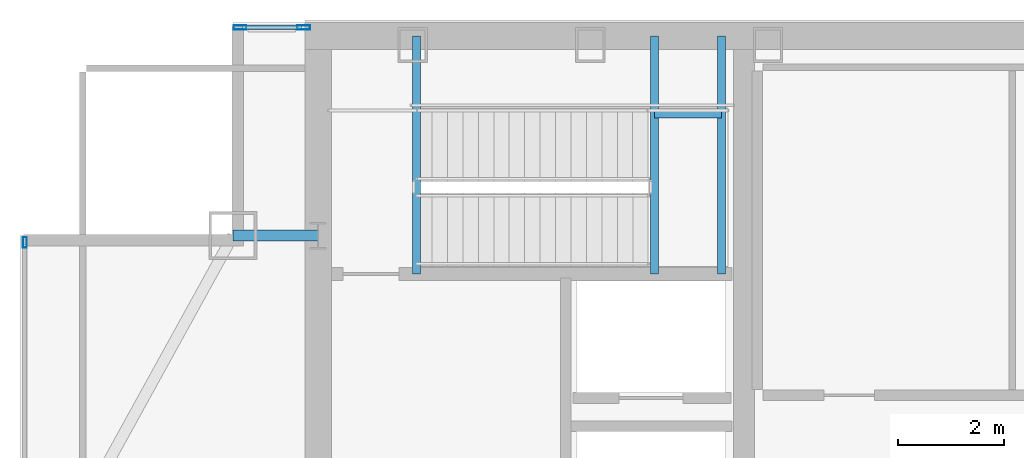
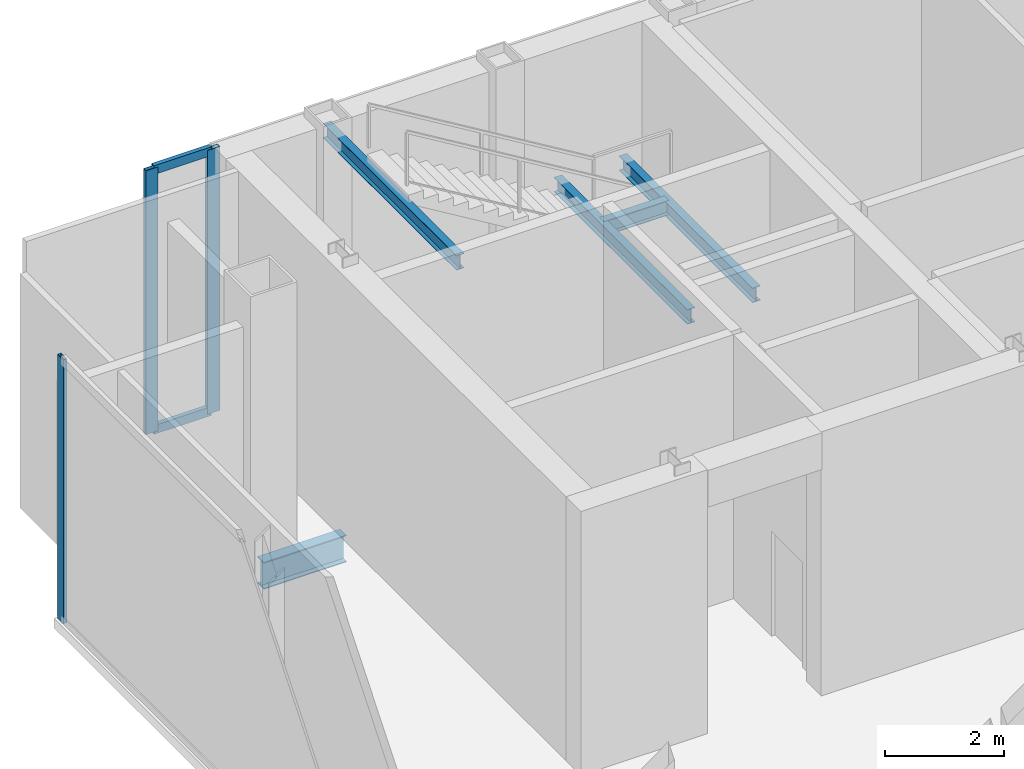
# One storey, part 17 of 23: 5 beams, 5 members, 2 elements without a shape of their own.
"""IFC4 building model written with IfcOpenShell, lengths in metres."""

from ifc_helpers import new_model, si_unit, direction, frame, origin, origin_2d, place, context, subcontext, project, spatial, hollow_rectangle, i_section, extrude, material, material_profile, profile_set, type_object, element, aggregate, save


model = new_model("IFC4")

# Units and contexts
model_context = context("Model", 3, precision=1e-05, world=origin(), true_north=direction((0.0, 1.0)))
body_context = subcontext(model_context, "Body", "Model", "MODEL_VIEW")
ifc_project = project(units=[si_unit("LENGTHUNIT", "METRE"), si_unit("AREAUNIT", "SQUARE_METRE"), si_unit("VOLUMEUNIT", "CUBIC_METRE"), si_unit("PLANEANGLEUNIT", "RADIAN"), si_unit("MASSUNIT", "GRAM", prefix="KILO")], contexts=[model_context])

# Site, building, storey
site_placement = place(None, origin())
site = spatial("IfcSite", under=ifc_project, at=site_placement, CompositionType="ELEMENT")
building_placement = place(site_placement, origin())
building = spatial("IfcBuilding", under=site, at=building_placement, Name="Khoronbel Lancet Exchange", CompositionType="ELEMENT")
storey_placement = place(building_placement, frame((0.0, 0.0, 356.199951171875)))
storey = spatial("IfcBuildingStorey", under=building, at=storey_placement, Name="L92", CompositionType="ELEMENT", Elevation=356.199951171875)

# Beams
ifc_material_1 = material(Name="Steel S355", Category="steel")
ifc_material_profile_1 = material_profile(ifc_material_1, i_section(OverallWidth=0.14990234375, OverallDepth=0.300048828125, WebThickness=0.007080078125, FlangeThickness=0.0107421875, at=origin_2d()), Name="IPE 300")
ifc_profile_set_1 = profile_set([ifc_material_profile_1], Name="Steel S355")
beam_type_1 = type_object("IfcBeamType", Name="BM-BJ8", PredefinedType="JOIST", material=ifc_profile_set_1)
for number, where, z_axis, x_axis, name in (
    (1, (22.77001953125, 48.97998046875, 2.449951171875), (0.0, 1.0, 0.0), (-1.0, 0.0, 0.0), "Level L92 stair ST1 landing bearer beam 1"),
    (2, (24.030029296875, 48.97998046875, 2.449951171875), (0.0, 1.0, 0.0), (-1.0, 0.0, 0.0), "Level L92 stair ST1 rear landing bearer beam 1"),
):
    element("IfcBeam", number, at=place(storey_placement, frame(where, z_axis=z_axis, x_axis=x_axis)), inside=storey, type_object=beam_type_1, Name=name, PredefinedType="JOIST", context=body_context, shape_type="SweptSolid", body=[
        extrude(i_section(OverallWidth=0.14990234375, OverallDepth=0.300048828125, WebThickness=0.007080078125, FlangeThickness=0.0107421875, at=origin_2d()), origin(), (0.0, 0.0, 1.0), 4.469970703125),
    ])
beam_1_placement = place(storey_placement, frame((22.77001953125, 51.97998046875, 2.449951171875), z_axis=(1.0, 0.0, 0.0), x_axis=(0.0, 1.0, 0.0)))
element("IfcBeam", 3, at=beam_1_placement, inside=storey, type_object=beam_type_1, Name="Level L92 stair ST1 landing cross trimmer beam 1", PredefinedType="JOIST", context=body_context, shape_type="SweptSolid", body=[
    extrude(i_section(OverallWidth=0.14990234375, OverallDepth=0.300048828125, WebThickness=0.007080078125, FlangeThickness=0.0107421875, at=origin_2d()), origin(), (0.0, 0.0, 1.0), 1.260009765625),
])
beam_2_placement = place(storey_placement, frame((18.300048828125, 48.97998046875, 5.1201171875), z_axis=(0.0, 1.0, 0.0), x_axis=(-1.0, 0.0, 0.0)))
element("IfcBeam", 4, at=beam_2_placement, inside=storey, type_object=beam_type_1, Name="Level L92 stair ST1 upper-flight arrival trimmer beam", PredefinedType="JOIST", context=body_context, shape_type="SweptSolid", body=[
    extrude(i_section(OverallWidth=0.14990234375, OverallDepth=0.300048828125, WebThickness=0.007080078125, FlangeThickness=0.0107421875, at=origin_2d()), origin(), (0.0, 0.0, 1.0), 4.469970703125),
])
ifc_material_profile_2 = material_profile(ifc_material_1, i_section(OverallWidth=0.2099609375, OverallDepth=0.550048828125, WebThickness=0.010986328125, FlangeThickness=0.01708984375, at=origin_2d()), Name="IPE 550")
ifc_profile_set_2 = profile_set([ifc_material_profile_2], Name="Steel S355")
beam_type_2 = type_object("IfcBeamType", Name="BM-BSP3", PredefinedType="SPANDREL", material=ifc_profile_set_2)
beam_3_placement = place(storey_placement, frame((14.85009765625, 49.699951171875, -0.474853515625), z_axis=(1.0, 0.0, 0.0), x_axis=(0.0, 1.0, 0.0)))
element("IfcBeam", 5, at=beam_3_placement, inside=storey, type_object=beam_type_2, Name="Level L92 north flank tie spandrel SP20", PredefinedType="SPANDREL", context=body_context, shape_type="SweptSolid", body=[
    extrude(i_section(OverallWidth=0.2099609375, OverallDepth=0.550048828125, WebThickness=0.010986328125, FlangeThickness=0.01708984375, at=origin_2d()), origin(), (0.0, 0.0, 1.0), 1.599853515625),
])

# Curtain wall, members
ifc_material_2 = material(Name="Low-E Solar Control Insulating Glass", Category="glass")
curtain_wall_type = type_object("IfcCurtainWallType", Name="CW-6", PredefinedType="NOTDEFINED", material=ifc_material_2)
curtain_wall_1_placement = place(storey_placement, origin())
curtain_wall_1 = element("IfcCurtainWall", 6, at=curtain_wall_1_placement, inside=storey, type_object=curtain_wall_type, Name="Unitised curtain wall CW-L92-NWFLK", PredefinedType="NOTDEFINED")
ifc_material_3 = material(Name="Bronze-Anodised Aluminium 6063-T6", Category="aluminium")
ifc_material_profile_3 = material_profile(ifc_material_3, hollow_rectangle(XDim=0.0849609375, YDim=0.239990234375, WallThickness=0.006103515625, at=origin_2d()), Name="ALU MULLION 85x240")
ifc_profile_set_3 = profile_set([ifc_material_profile_3], Name="Bronze-Anodised Aluminium 6063-T6")
member_type_1 = type_object("IfcMemberType", Name="MEM-CWM1", PredefinedType="MULLION", material=ifc_profile_set_3)
member_1_placement = place(storey_placement, frame((16.177490234375, 53.610107421875, 0.0), z_axis=(0.0, 0.0, 1.0), x_axis=(0.0, -1.0, 0.0)))
member_1 = element("IfcMember", 7, at=member_1_placement, type_object=member_type_1, Name="CW6 mullion 1", PredefinedType="MULLION", context=body_context, shape_type="SweptSolid", body=[
    extrude(hollow_rectangle(XDim=0.0849609375, YDim=0.239990234375, WallThickness=0.006103515625, at=origin_2d()), origin(), (0.0, 0.0, 1.0), 5.400146484375),
])
member_2_placement = place(storey_placement, frame((14.982421875, 53.610107421875, 0.0), z_axis=(0.0, 0.0, 1.0), x_axis=(0.0, -1.0, 0.0)))
member_2 = element("IfcMember", 8, at=member_2_placement, type_object=member_type_1, Name="CW6 mullion 2", PredefinedType="MULLION", context=body_context, shape_type="SweptSolid", body=[
    extrude(hollow_rectangle(XDim=0.0849609375, YDim=0.239990234375, WallThickness=0.006103515625, at=origin_2d()), origin(), (0.0, 0.0, 1.0), 5.400146484375),
])

# Curtain wall, member
curtain_wall_2_placement = place(storey_placement, origin())
curtain_wall_2 = element("IfcCurtainWall", 9, at=curtain_wall_2_placement, inside=storey, type_object=curtain_wall_type, Name="Unitised curtain wall CW-L92-E03", PredefinedType="NOTDEFINED")
ifc_material_profile_4 = material_profile(ifc_material_3, hollow_rectangle(XDim=0.074951171875, YDim=0.199951171875, WallThickness=0.0048828125, at=origin_2d()), Name="ALU MULLION 75x200")
ifc_profile_set_4 = profile_set([ifc_material_profile_4], Name="Bronze-Anodised Aluminium 6063-T6")
member_type_2 = type_object("IfcMemberType", Name="MEM-CWM2", PredefinedType="MULLION", material=ifc_profile_set_4)
member_3_placement = place(storey_placement, frame((10.93994140625, 49.572509765625, 0.0), z_axis=(0.0, 0.0, 1.0), x_axis=(-1.0, 0.0, 0.0)))
member_3 = element("IfcMember", 10, at=member_3_placement, type_object=member_type_2, Name="CW6 mullion 3", PredefinedType="MULLION", context=body_context, shape_type="SweptSolid", body=[
    extrude(hollow_rectangle(XDim=0.074951171875, YDim=0.199951171875, WallThickness=0.0048828125, at=origin_2d()), origin(), (0.0, 0.0, 1.0), 5.400146484375),
])
aggregate(curtain_wall_2, [member_3])

# Member
ifc_material_profile_5 = material_profile(ifc_material_3, hollow_rectangle(XDim=0.0849609375, YDim=0.179931640625, WallThickness=0.0048828125, at=origin_2d()), Name="ALU TRANSOM 85x180")
ifc_profile_set_5 = profile_set([ifc_material_profile_5], Name="Bronze-Anodised Aluminium 6063-T6")
member_type_3 = type_object("IfcMemberType", Name="MEM-CWT1", PredefinedType="USERDEFINED", material=ifc_profile_set_5)
member_4_placement = place(storey_placement, frame((16.135009765625, 53.610107421875, 0.04248046875), z_axis=(-1.0, 0.0, 0.0), x_axis=(0.0, -1.0, 0.0)))
member_4 = element("IfcMember", 11, at=member_4_placement, type_object=member_type_3, Name="CW6 transom 1.1", ObjectType="TRANSOM", PredefinedType="USERDEFINED", context=body_context, shape_type="SweptSolid", body=[
    extrude(hollow_rectangle(XDim=0.0849609375, YDim=0.179931640625, WallThickness=0.0048828125, at=origin_2d()), origin(), (0.0, 0.0, 1.0), 1.110107421875),
])

member_5_placement = place(storey_placement, frame((16.135009765625, 53.610107421875, 5.357666015625), z_axis=(-1.0, 0.0, 0.0), x_axis=(0.0, -1.0, 0.0)))
member_5 = element("IfcMember", 12, at=member_5_placement, type_object=member_type_3, Name="CW6 transom 1.2", ObjectType="TRANSOM", PredefinedType="USERDEFINED", context=body_context, shape_type="SweptSolid", body=[
    extrude(hollow_rectangle(XDim=0.0849609375, YDim=0.179931640625, WallThickness=0.0048828125, at=origin_2d()), origin(), (0.0, 0.0, 1.0), 1.110107421875),
])

aggregate(curtain_wall_1, [member_1, member_2, member_4, member_5])

save(model, "model.ifc")
